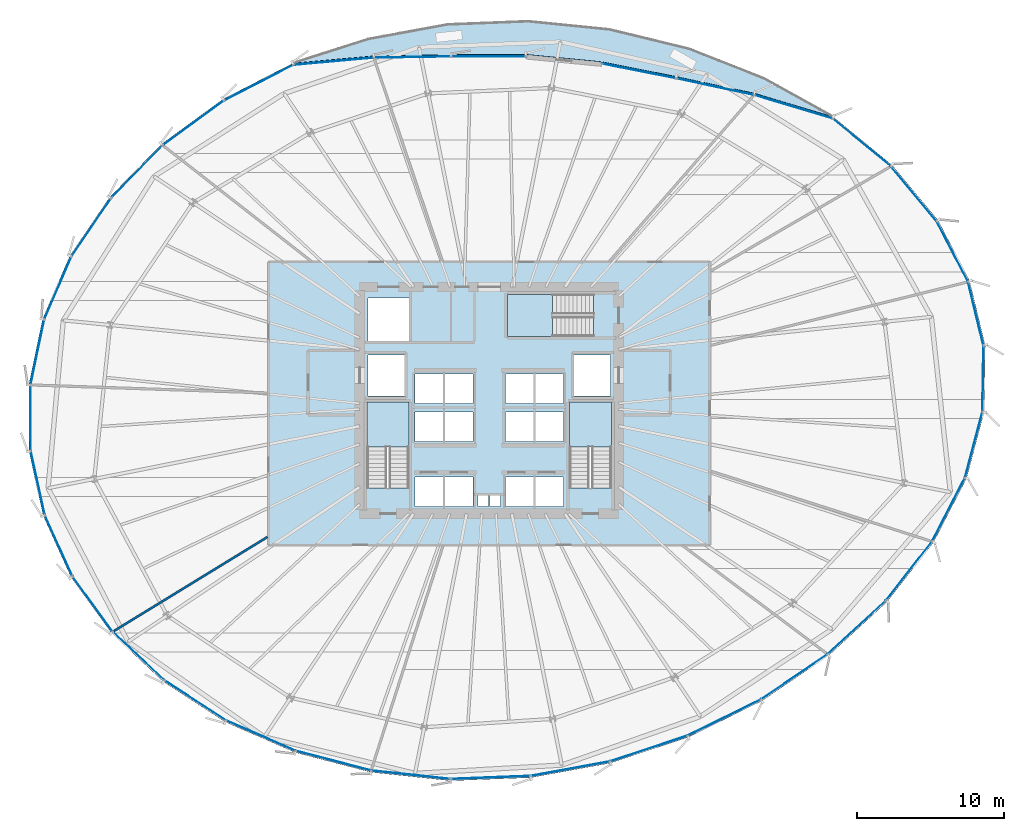
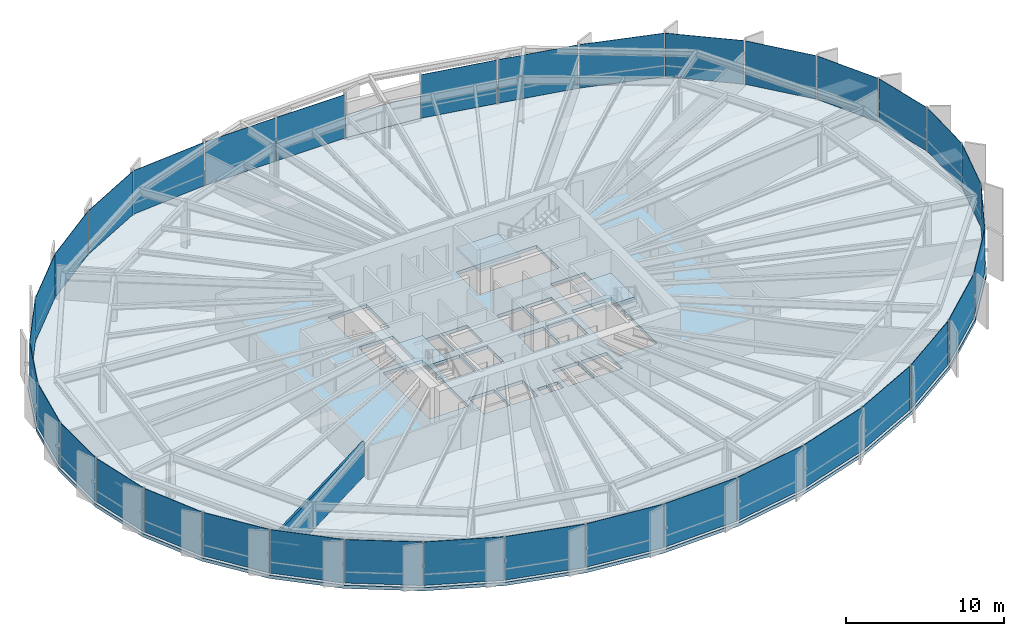
# One storey, part 29 of 37: 35 plates, 5 slabs, 1 wall, 10 elements without a shape of their own.
"""IFC4 building model written with IfcOpenShell, lengths in metres."""

from ifc_helpers import new_model, si_unit, direction, frame, frame_2d, origin, origin_2d, place, context, subcontext, project, spatial, polyline, rectangle, outline, extrude, source, transform, mapped, material, layer, layer_set, type_object, element, aggregate, save


model = new_model("IFC4")

# Units and contexts
model_context = context("Model", 3, precision=1e-05, world=origin(), true_north=direction((0.0, 1.0)))
body_context = subcontext(model_context, "Body", "Model", "MODEL_VIEW")
ifc_project = project(units=[si_unit("LENGTHUNIT", "METRE"), si_unit("AREAUNIT", "SQUARE_METRE"), si_unit("VOLUMEUNIT", "CUBIC_METRE"), si_unit("PLANEANGLEUNIT", "RADIAN"), si_unit("MASSUNIT", "GRAM", prefix="KILO"), si_unit("THERMODYNAMICTEMPERATUREUNIT", "KELVIN")], contexts=[model_context])

# Site, building, storey
site_placement = place(None, origin())
site = spatial("IfcSite", under=ifc_project, at=site_placement, CompositionType="ELEMENT")
building_placement = place(site_placement, origin())
building = spatial("IfcBuilding", under=site, at=building_placement, Name="Kethvar Cultural Tower", CompositionType="ELEMENT")
storey_placement = place(building_placement, frame((0.0, 0.0, 56.199951171875)))
storey = spatial("IfcBuildingStorey", under=building, at=storey_placement, Name="L13", CompositionType="ELEMENT", Elevation=56.199951171875)

# Stair, slab
ifc_material_1 = material(Name="Concrete C40/50", Category="concrete")
stair_type = type_object("IfcStairType", Name="ST-DOGLEG-135", PredefinedType="HALF_TURN_STAIR", material=ifc_material_1)
stair_1_placement = place(storey_placement, origin())
stair_1 = element("IfcStair", 1, at=stair_1_placement, inside=storey, type_object=stair_type, Name="L13 Core Exit Stair 1", PredefinedType="HALF_TURN_STAIR")
ifc_layer_1 = layer(ifc_material_1, 0.199951171875, Name="Concrete C40/50", Category="concrete")
ifc_layer_set_1 = layer_set([ifc_layer_1], Name="Concrete C40/50 (200 mm)")
slab_type_1 = type_object("IfcSlabType", Name="SL-STAIR-LANDING-200", PredefinedType="LANDING", material=ifc_layer_set_1)
slab_1_placement = place(storey_placement, frame((0.0, 0.0, 1.699951171875)))
slab_1 = element("IfcSlab", 2, at=slab_1_placement, type_object=slab_type_1, Name="ST-01 landing 1", PredefinedType="LANDING", context=body_context, shape_type="SweptSolid", body=[
    extrude(outline(polyline([(41.35009765625, 24.64990234375), (41.35009765625, 27.699951171875), (38.489990234375, 27.699951171875), (38.489990234375, 24.64990234375), (41.35009765625, 24.64990234375)])), origin(), (0.0, 0.0, 1.0), 0.2001953125),
])
aggregate(stair_1, [slab_1])

stair_2_placement = place(storey_placement, origin())
stair_2 = element("IfcStair", 3, at=stair_2_placement, inside=storey, type_object=stair_type, Name="L13 Core Exit Stair 2", PredefinedType="HALF_TURN_STAIR")
slab_2_placement = place(storey_placement, frame((0.0, 0.0, 1.699951171875)))
slab_2 = element("IfcSlab", 4, at=slab_2_placement, type_object=slab_type_1, Name="ST-02 landing 1", PredefinedType="LANDING", context=body_context, shape_type="SweptSolid", body=[
    extrude(outline(polyline([(55.110107421875, 24.64990234375), (55.110107421875, 27.699951171875), (52.25, 27.699951171875), (52.25, 24.64990234375), (55.110107421875, 24.64990234375)])), origin(), (0.0, 0.0, 1.0), 0.2001953125),
])
aggregate(stair_2, [slab_2])

stair_3_placement = place(storey_placement, origin())
stair_3 = element("IfcStair", 5, at=stair_3_placement, inside=storey, type_object=stair_type, Name="L13 Core Exit Stair 3", PredefinedType="HALF_TURN_STAIR")
slab_3_placement = place(storey_placement, frame((0.0, 0.0, 1.699951171875)))
slab_3 = element("IfcSlab", 6, at=slab_3_placement, type_object=slab_type_1, Name="ST-03 landing 1", PredefinedType="LANDING", context=body_context, shape_type="SweptSolid", body=[
    extrude(outline(polyline([(51.10009765625, 35.010009765625), (48.050048828125, 35.010009765625), (48.050048828125, 32.14990234375), (51.10009765625, 32.14990234375), (51.10009765625, 35.010009765625)])), origin(), (0.0, 0.0, 1.0), 0.2001953125),
])
aggregate(stair_3, [slab_3])

# Slabs
ifc_layer_2 = layer(ifc_material_1, 0.215087890625, Name="Concrete C40/50", Category="concrete")
ifc_layer_set_2 = layer_set([ifc_layer_2], Name="Concrete C40/50 (215 mm)")
slab_type_2 = type_object("IfcSlabType", Name="SL-TER-EXT", PredefinedType="FLOOR", material=ifc_layer_set_2)
slab_4_placement = place(storey_placement, frame((0.0, 0.0, -0.21484375)))
element("IfcSlab", 7, at=slab_4_placement, inside=storey, type_object=slab_type_2, Name="L13 Spiralling Sky Terrace Deck", PredefinedType="FLOOR", context=body_context, shape_type="SweptSolid", body=[
    extrude(outline(polyline([(70.1845703125, 47.05908203125), (65.53759765625, 49.743896484375), (60.413818359375, 51.772216796875), (55.001708984375, 53.086181640625), (49.473388671875, 53.646240234375), (43.97021484375, 53.432861328125), (38.58349609375, 52.444091796875), (33.4462890625, 50.706298828125), (38.9462890625, 51.203369140625), (44.20751953125, 51.283935546875), (49.32177734375, 51.301025390625), (54.445068359375, 50.802978515625), (59.544921875, 49.79248046875), (64.820556640625, 48.668701171875), (70.1845703125, 47.05908203125)])), origin(), (0.0, 0.0, 1.0), 0.21484375),
])
ifc_layer_3 = layer(ifc_material_1, 0.25, Name="Concrete C40/50", Category="concrete")
ifc_layer_set_3 = layer_set([ifc_layer_3], Name="Concrete C40/50 (250 mm)")
slab_type_3 = type_object("IfcSlabType", Name="SL-TOW-250", PredefinedType="FLOOR", material=ifc_layer_set_3)
slab_5_placement = place(storey_placement, frame((0.0, 0.0, -0.25)))
element("IfcSlab", 8, at=slab_5_placement, inside=storey, type_object=slab_type_3, Name="L13 Structural Floor Slab", PredefinedType="FLOOR", context=body_context, shape_type="SweptSolid", body=[
    extrude(outline(polyline([(80.50341796875, 31.52099609375), (79.445556640625, 35.909423828125), (77.299072265625, 40.041015625), (74.163818359375, 43.793701171875), (70.1845703125, 47.05908203125), (64.820556640625, 48.668701171875), (59.544921875, 49.79248046875), (54.445068359375, 50.802978515625), (49.32177734375, 51.301025390625), (44.20751953125, 51.283935546875), (38.9462890625, 51.203369140625), (33.4462890625, 50.706298828125), (28.715087890625, 48.272705078125), (24.533447265625, 45.217041015625), (21.0283203125, 41.632080078125), (18.305908203125, 37.626953125), (16.44970703125, 33.322998046875), (15.515380859375, 28.8515625), (15.53173828125, 24.347900390625), (16.498291015625, 19.94921875), (18.385498046875, 15.789306640625), (21.135986328125, 11.993896484375), (24.666259765625, 8.67919921875), (28.868896484375, 5.9453125), (33.61669921875, 3.875244140625), (38.764892578125, 2.5322265625), (44.1572265625, 1.95703125), (49.6298828125, 2.167236328125), (55.047119140625, 3.159423828125), (60.3203125, 4.912109375), (65.315185546875, 7.375), (69.873291015625, 10.47216796875), (73.822509765625, 14.10595703125), (76.99365234375, 18.160888671875), (79.23486328125, 22.507080078125), (80.42822265625, 27.007080078125), (80.50341796875, 31.52099609375)]), holes=[polyline([(38.489990234375, 21.85009765625), (38.489990234375, 27.699951171875), (41.35009765625, 27.699951171875), (41.35009765625, 21.85009765625), (38.489990234375, 21.85009765625)]), polyline([(52.25, 21.85009765625), (52.25, 27.699951171875), (55.110107421875, 27.699951171875), (55.110107421875, 21.85009765625), (52.25, 21.85009765625)]), polyline([(53.89990234375, 32.14990234375), (48.050048828125, 32.14990234375), (48.050048828125, 35.010009765625), (53.89990234375, 35.010009765625), (53.89990234375, 32.14990234375)]), polyline([(41.75, 22.60009765625), (43.64990234375, 22.60009765625), (43.64990234375, 20.60009765625), (41.75, 20.60009765625), (41.75, 22.60009765625)]), polyline([(43.800048828125, 22.60009765625), (45.699951171875, 22.60009765625), (45.699951171875, 20.60009765625), (43.800048828125, 20.60009765625), (43.800048828125, 22.60009765625)]), polyline([(47.89990234375, 22.60009765625), (49.800048828125, 22.60009765625), (49.800048828125, 20.60009765625), (47.89990234375, 20.60009765625), (47.89990234375, 22.60009765625)]), polyline([(49.949951171875, 22.60009765625), (51.85009765625, 22.60009765625), (51.85009765625, 20.60009765625), (49.949951171875, 20.60009765625), (49.949951171875, 22.60009765625)]), polyline([(41.75, 27.0), (43.64990234375, 27.0), (43.64990234375, 25.0), (41.75, 25.0), (41.75, 27.0)]), polyline([(43.800048828125, 27.0), (45.699951171875, 27.0), (45.699951171875, 25.0), (43.800048828125, 25.0), (43.800048828125, 27.0)]), polyline([(47.89990234375, 27.0), (49.800048828125, 27.0), (49.800048828125, 25.0), (47.89990234375, 25.0), (47.89990234375, 27.0)]), polyline([(49.949951171875, 27.0), (51.85009765625, 27.0), (51.85009765625, 25.0), (49.949951171875, 25.0), (49.949951171875, 27.0)]), polyline([(41.75, 29.60009765625), (43.64990234375, 29.60009765625), (43.64990234375, 27.60009765625), (41.75, 27.60009765625), (41.75, 29.60009765625)]), polyline([(43.800048828125, 29.60009765625), (45.699951171875, 29.60009765625), (45.699951171875, 27.60009765625), (43.800048828125, 27.60009765625), (43.800048828125, 29.60009765625)]), polyline([(47.89990234375, 29.60009765625), (49.800048828125, 29.60009765625), (49.800048828125, 27.60009765625), (47.89990234375, 27.60009765625), (47.89990234375, 29.60009765625)]), polyline([(49.949951171875, 29.60009765625), (51.85009765625, 29.60009765625), (51.85009765625, 27.60009765625), (49.949951171875, 27.60009765625), (49.949951171875, 29.60009765625)]), polyline([(38.550048828125, 30.89990234375), (41.050048828125, 30.89990234375), (41.050048828125, 28.10009765625), (38.550048828125, 28.10009765625), (38.550048828125, 30.89990234375)]), polyline([(52.550048828125, 30.89990234375), (55.050048828125, 30.89990234375), (55.050048828125, 28.10009765625), (52.550048828125, 28.10009765625), (52.550048828125, 30.89990234375)]), polyline([(38.550048828125, 34.75), (41.35009765625, 34.75), (41.35009765625, 31.85009765625), (38.550048828125, 31.85009765625), (38.550048828125, 34.75)]), polyline([(46.050048828125, 21.35009765625), (46.75, 21.35009765625), (46.75, 20.60009765625), (46.050048828125, 20.60009765625), (46.050048828125, 21.35009765625)]), polyline([(46.85009765625, 21.35009765625), (47.550048828125, 21.35009765625), (47.550048828125, 20.60009765625), (46.85009765625, 20.60009765625), (46.85009765625, 21.35009765625)])]), origin(), (0.0, 0.0, 1.0), 0.25),
])

# Curtain wall, plates
ifc_material_2 = material(Name="Aluminium 6063-T6", Category="aluminium")
ifc_layer_4 = layer(ifc_material_2, 0.179931640625, Name="Aluminium 6063-T6", Category="aluminium")
ifc_layer_set_4 = layer_set([ifc_layer_4], Name="Aluminium 6063-T6 (180 mm)")
curtain_wall_type = type_object("IfcCurtainWallType", Name="CW-SYS-02-Z1", PredefinedType="NOTDEFINED", material=ifc_layer_set_4)
curtain_wall_1_placement = place(storey_placement, origin())
curtain_wall_1 = element("IfcCurtainWall", 9, at=curtain_wall_1_placement, inside=storey, type_object=curtain_wall_type, Name="L13 Curtain Wall Run 03", PredefinedType="NOTDEFINED")
ifc_material_3 = material(Name="Insulated Low-E Solar Glass", Category="glass")
ifc_layer_5 = layer(ifc_material_3, 0.031982421875, Name="Insulated Low-E Solar Glass", Category="glass")
ifc_layer_set_5 = layer_set([ifc_layer_5], Name="Insulated Low-E Solar Glass (32 mm)")
plate_type = type_object("IfcPlateType", Name="CW-SYS-02-Z1-PNL", PredefinedType="CURTAIN_PANEL", material=ifc_layer_set_5)
shared_shape_1 = source(origin(), body_context, "Body", "SweptSolid", [
    extrude(rectangle(XDim=5.168212890625, YDim=0.031982421875, at=origin_2d()), origin(), (0.0, 0.0, 1.0), 3.35009765625),
])
plate_1_placement = place(storey_placement, frame((41.57861328125, 51.12353515625, 0.10009765625), z_axis=(0.0, 0.0, 1.0), x_axis=(-0.999882857241, -0.015305939852, 0.0)))
plate_1 = element("IfcPlate", 10, at=plate_1_placement, type_object=plate_type, Name="CW-L13-R03 Vision Glazing Panel 2", PredefinedType="CURTAIN_PANEL", context=body_context, shape_type="MappedRepresentation", body=[
    mapped(shared_shape_1, transform((0.0, 0.0, 0.0), scale=1.0)),
])
shared_shape_2 = source(origin(), body_context, "Body", "SweptSolid", [
    extrude(rectangle(XDim=5.4287109375, YDim=0.031982421875, at=origin_2d()), origin(), (0.0, 0.0, 1.0), 3.35009765625),
])
plate_2_placement = place(storey_placement, frame((36.20703125, 50.83544921875, 0.10009765625), z_axis=(0.0, 0.0, 1.0), x_axis=(-0.995939577095, -0.090024212165, 0.0)))
plate_2 = element("IfcPlate", 11, at=plate_2_placement, type_object=plate_type, Name="CW-L13-R03 Vision Glazing Panel 3", PredefinedType="CURTAIN_PANEL", context=body_context, shape_type="MappedRepresentation", body=[
    mapped(shared_shape_2, transform((0.0, 0.0, 0.0), scale=1.0)),
])

# Curtain wall, plate
curtain_wall_2_placement = place(storey_placement, origin())
curtain_wall_2 = element("IfcCurtainWall", 12, at=curtain_wall_2_placement, inside=storey, type_object=curtain_wall_type, Name="L13 Curtain Wall Run 01", PredefinedType="NOTDEFINED")
shared_shape_3 = source(origin(), body_context, "Body", "SweptSolid", [
    extrude(rectangle(XDim=4.420654296875, YDim=0.031982421875, at=origin_2d()), origin(), (0.0, 0.0, 1.0), 3.35009765625),
])
plate_3_placement = place(storey_placement, frame((79.85791015625, 33.68701171875, 0.10009765625), z_axis=(0.0, 0.0, 1.0), x_axis=(-0.234344729854, 0.972153561733, 0.0)))
plate_3 = element("IfcPlate", 13, at=plate_3_placement, type_object=plate_type, Name="CW-L13-R01 Vision Glazing Panel 1", PredefinedType="CURTAIN_PANEL", context=body_context, shape_type="MappedRepresentation", body=[
    mapped(shared_shape_3, transform((0.0, 0.0, 0.0), scale=1.0)),
])

curtain_wall_3_placement = place(storey_placement, origin())
curtain_wall_3 = element("IfcCurtainWall", 14, at=curtain_wall_3_placement, inside=storey, type_object=curtain_wall_type, Name="L13 Curtain Wall Run 07", PredefinedType="NOTDEFINED")
plate_4_placement = place(storey_placement, frame((80.345703125, 29.26611328125, 0.10009765625), z_axis=(0.0, 0.0, 1.0), x_axis=(0.016632220845, 0.999861675048, 0.0)))
plate_4 = element("IfcPlate", 15, at=plate_4_placement, type_object=plate_type, Name="CW-L13-R07 Vision Glazing Panel 4", PredefinedType="CURTAIN_PANEL", context=body_context, shape_type="MappedRepresentation", body=[
    mapped(shared_shape_3, transform((0.0, 0.0, 0.0), scale=1.0)),
])

# Plate
shared_shape_4 = source(origin(), body_context, "Body", "SweptSolid", [
    extrude(rectangle(XDim=4.56201171875, YDim=0.031982421875, at=origin_2d()), origin(), (0.0, 0.0, 1.0), 3.35009765625),
])
plate_5_placement = place(storey_placement, frame((78.265869140625, 37.919921875, 0.10009765625), z_axis=(0.0, 0.0, 1.0), x_axis=(-0.461020838763, 0.887389309281, 0.0)))
plate_5 = element("IfcPlate", 16, at=plate_5_placement, type_object=plate_type, Name="CW-L13-R01 Vision Glazing Panel 2", PredefinedType="CURTAIN_PANEL", context=body_context, shape_type="MappedRepresentation", body=[
    mapped(shared_shape_4, transform((0.0, 0.0, 0.0), scale=1.0)),
])

plate_6_placement = place(storey_placement, frame((79.715576171875, 24.787841796875, 0.10009765625), z_axis=(0.0, 0.0, 1.0), x_axis=(0.256339983845, 0.966586681412, 0.0)))
plate_6 = element("IfcPlate", 17, at=plate_6_placement, type_object=plate_type, Name="CW-L13-R07 Vision Glazing Panel 3", PredefinedType="CURTAIN_PANEL", context=body_context, shape_type="MappedRepresentation", body=[
    mapped(shared_shape_4, transform((0.0, 0.0, 0.0), scale=1.0)),
])

shared_shape_5 = source(origin(), body_context, "Body", "SweptSolid", [
    extrude(rectangle(XDim=4.79638671875, YDim=0.031982421875, at=origin_2d()), origin(), (0.0, 0.0, 1.0), 3.35009765625),
])
plate_7_placement = place(storey_placement, frame((75.639404296875, 41.84033203125, 0.10009765625), z_axis=(0.0, 0.0, 1.0), x_axis=(-0.641168407777, 0.76740020385, 0.0)))
plate_7 = element("IfcPlate", 18, at=plate_7_placement, type_object=plate_type, Name="CW-L13-R01 Vision Glazing Panel 3", PredefinedType="CURTAIN_PANEL", context=body_context, shape_type="MappedRepresentation", body=[
    mapped(shared_shape_5, transform((0.0, 0.0, 0.0), scale=1.0)),
])

plate_8_placement = place(storey_placement, frame((78.007568359375, 20.388916015625, 0.10009765625), z_axis=(0.0, 0.0, 1.0), x_axis=(0.458323828458, 0.888785276806, 0.0)))
plate_8 = element("IfcPlate", 19, at=plate_8_placement, type_object=plate_type, Name="CW-L13-R07 Vision Glazing Panel 2", PredefinedType="CURTAIN_PANEL", context=body_context, shape_type="MappedRepresentation", body=[
    mapped(shared_shape_5, transform((0.0, 0.0, 0.0), scale=1.0)),
])

shared_shape_6 = source(origin(), body_context, "Body", "SweptSolid", [
    extrude(rectangle(XDim=5.053955078125, YDim=0.031982421875, at=origin_2d()), origin(), (0.0, 0.0, 1.0), 3.35009765625),
])
plate_9_placement = place(storey_placement, frame((72.097900390625, 45.33349609375, 0.10009765625), z_axis=(0.0, 0.0, 1.0), x_axis=(-0.773032597395, 0.634366300622, 0.0)))
plate_9 = element("IfcPlate", 20, at=plate_9_placement, type_object=plate_type, Name="CW-L13-R01 Vision Glazing Panel 4", PredefinedType="CURTAIN_PANEL", context=body_context, shape_type="MappedRepresentation", body=[
    mapped(shared_shape_6, transform((0.0, 0.0, 0.0), scale=1.0)),
])

plate_10_placement = place(storey_placement, frame((75.3134765625, 16.207275390625, 0.10009765625), z_axis=(0.0, 0.0, 1.0), x_axis=(0.616032748272, 0.787720542487, 0.0)))
plate_10 = element("IfcPlate", 21, at=plate_10_placement, type_object=plate_type, Name="CW-L13-R07 Vision Glazing Panel 1", PredefinedType="CURTAIN_PANEL", context=body_context, shape_type="MappedRepresentation", body=[
    mapped(shared_shape_6, transform((0.0, 0.0, 0.0), scale=1.0)),
])

aggregate(curtain_wall_3, [plate_10, plate_8, plate_6, plate_4])

shared_shape_7 = source(origin(), body_context, "Body", "SweptSolid", [
    extrude(rectangle(XDim=5.506591796875, YDim=0.031982421875, at=origin_2d()), origin(), (0.0, 0.0, 1.0), 3.35009765625),
])
plate_11_placement = place(storey_placement, frame((67.468017578125, 47.748779296875, 0.10009765625), z_axis=(0.0, 0.0, 1.0), x_axis=(-0.957807447371, 0.287410670924, 0.0)))
plate_11 = element("IfcPlate", 22, at=plate_11_placement, type_object=plate_type, Name="CW-L13-R01 Vision Glazing Panel 5", PredefinedType="CURTAIN_PANEL", context=body_context, shape_type="MappedRepresentation", body=[
    mapped(shared_shape_7, transform((0.0, 0.0, 0.0), scale=1.0)),
])

shared_shape_8 = source(origin(), body_context, "Body", "SweptSolid", [
    extrude(rectangle(XDim=5.300537109375, YDim=0.031982421875, at=origin_2d()), origin(), (0.0, 0.0, 1.0), 3.35009765625),
])
plate_12_placement = place(storey_placement, frame((62.15771484375, 49.11328125, 0.10009765625), z_axis=(0.0, 0.0, 1.0), x_axis=(-0.978049516055, 0.208372608913, 0.0)))
plate_12 = element("IfcPlate", 23, at=plate_12_placement, type_object=plate_type, Name="CW-L13-R01 Vision Glazing Panel 6", PredefinedType="CURTAIN_PANEL", context=body_context, shape_type="MappedRepresentation", body=[
    mapped(shared_shape_8, transform((0.0, 0.0, 0.0), scale=1.0)),
])

aggregate(curtain_wall_2, [plate_3, plate_5, plate_7, plate_9, plate_11, plate_12])

# Curtain wall, plate
curtain_wall_4_placement = place(storey_placement, origin())
curtain_wall_4 = element("IfcCurtainWall", 24, at=curtain_wall_4_placement, inside=storey, type_object=curtain_wall_type, Name="L13 Curtain Wall Run 02", PredefinedType="NOTDEFINED")
shared_shape_9 = source(origin(), body_context, "Body", "SweptSolid", [
    extrude(rectangle(XDim=5.105224609375, YDim=0.031982421875, at=origin_2d()), origin(), (0.0, 0.0, 1.0), 3.35009765625),
])
plate_13_placement = place(storey_placement, frame((56.9716796875, 50.179931640625, 0.10009765625), z_axis=(0.0, 0.0, 1.0), x_axis=(-0.980934809797, 0.194337075538, 0.0)))
plate_13 = element("IfcPlate", 25, at=plate_13_placement, type_object=plate_type, Name="CW-L13-R02 Vision Glazing Panel 1", PredefinedType="CURTAIN_PANEL", context=body_context, shape_type="MappedRepresentation", body=[
    mapped(shared_shape_9, transform((0.0, 0.0, 0.0), scale=1.0)),
])
aggregate(curtain_wall_4, [plate_13])

# Plate
shared_shape_10 = source(origin(), body_context, "Body", "SweptSolid", [
    extrude(rectangle(XDim=5.020751953125, YDim=0.031982421875, at=origin_2d()), origin(), (0.0, 0.0, 1.0), 3.35009765625),
])
plate_14_placement = place(storey_placement, frame((46.764892578125, 51.172607421875, 0.10009765625), z_axis=(0.0, 0.0, 1.0), x_axis=(-0.999994326658, -0.003368479086, 0.0)))
plate_14 = element("IfcPlate", 26, at=plate_14_placement, type_object=plate_type, Name="CW-L13-R03 Vision Glazing Panel 1", PredefinedType="CURTAIN_PANEL", context=body_context, shape_type="MappedRepresentation", body=[
    mapped(shared_shape_10, transform((0.0, 0.0, 0.0), scale=1.0)),
])

shared_shape_11 = source(origin(), body_context, "Body", "SweptSolid", [
    extrude(rectangle(XDim=5.226806640625, YDim=0.031982421875, at=origin_2d()), origin(), (0.0, 0.0, 1.0), 3.35009765625),
])
plate_15_placement = place(storey_placement, frame((31.1357421875, 49.3828125, 0.10009765625), z_axis=(0.0, 0.0, 1.0), x_axis=(-0.889256761832, -0.457408364087, 0.0)))
plate_15 = element("IfcPlate", 27, at=plate_15_placement, type_object=plate_type, Name="CW-L13-R03 Vision Glazing Panel 4", PredefinedType="CURTAIN_PANEL", context=body_context, shape_type="MappedRepresentation", body=[
    mapped(shared_shape_11, transform((0.0, 0.0, 0.0), scale=1.0)),
])

# Curtain wall, plate
curtain_wall_5_placement = place(storey_placement, origin())
curtain_wall_5 = element("IfcCurtainWall", 28, at=curtain_wall_5_placement, inside=storey, type_object=curtain_wall_type, Name="L13 Curtain Wall Run 05", PredefinedType="NOTDEFINED")
plate_16_placement = place(storey_placement, frame((36.22119140625, 3.31982421875, 0.10009765625), z_axis=(0.0, 0.0, 1.0), x_axis=(0.96761671724, -0.25242402524, 0.0)))
plate_16 = element("IfcPlate", 29, at=plate_16_placement, type_object=plate_type, Name="CW-L13-R05 Vision Glazing Panel 5", PredefinedType="CURTAIN_PANEL", context=body_context, shape_type="MappedRepresentation", body=[
    mapped(shared_shape_11, transform((0.0, 0.0, 0.0), scale=1.0)),
])

# Plate
shared_shape_12 = source(origin(), body_context, "Body", "SweptSolid", [
    extrude(rectangle(XDim=5.085693359375, YDim=0.031982421875, at=origin_2d()), origin(), (0.0, 0.0, 1.0), 3.35009765625),
])
plate_17_placement = place(storey_placement, frame((26.695068359375, 46.64794921875, 0.10009765625), z_axis=(0.0, 0.0, 1.0), x_axis=(-0.807413626744, -0.589985792496, 0.0)))
plate_17 = element("IfcPlate", 30, at=plate_17_placement, type_object=plate_type, Name="CW-L13-R03 Vision Glazing Panel 5", PredefinedType="CURTAIN_PANEL", context=body_context, shape_type="MappedRepresentation", body=[
    mapped(shared_shape_12, transform((0.0, 0.0, 0.0), scale=1.0)),
])

plate_18_placement = place(storey_placement, frame((31.290771484375, 5.020263671875, 0.10009765625), z_axis=(0.0, 0.0, 1.0), x_axis=(0.916669905311, -0.399645198517, 0.0)))
plate_18 = element("IfcPlate", 31, at=plate_18_placement, type_object=plate_type, Name="CW-L13-R05 Vision Glazing Panel 4", PredefinedType="CURTAIN_PANEL", context=body_context, shape_type="MappedRepresentation", body=[
    mapped(shared_shape_12, transform((0.0, 0.0, 0.0), scale=1.0)),
])

shared_shape_13 = source(origin(), body_context, "Body", "SweptSolid", [
    extrude(rectangle(XDim=4.920166015625, YDim=0.031982421875, at=origin_2d()), origin(), (0.0, 0.0, 1.0), 3.35009765625),
])
plate_19_placement = place(storey_placement, frame((22.86669921875, 43.340576171875, 0.10009765625), z_axis=(0.0, 0.0, 1.0), x_axis=(-0.699114458628, -0.715009771777, 0.0)))
plate_19 = element("IfcPlate", 32, at=plate_19_placement, type_object=plate_type, Name="CW-L13-R03 Vision Glazing Panel 6", PredefinedType="CURTAIN_PANEL", context=body_context, shape_type="MappedRepresentation", body=[
    mapped(shared_shape_13, transform((0.0, 0.0, 0.0), scale=1.0)),
])

aggregate(curtain_wall_1, [plate_14, plate_1, plate_2, plate_15, plate_17, plate_19])

plate_20_placement = place(storey_placement, frame((26.8330078125, 7.412841796875, 0.10009765625), z_axis=(0.0, 0.0, 1.0), x_axis=(0.838252067935, -0.545282927115, 0.0)))
plate_20 = element("IfcPlate", 33, at=plate_20_placement, type_object=plate_type, Name="CW-L13-R05 Vision Glazing Panel 3", PredefinedType="CURTAIN_PANEL", context=body_context, shape_type="MappedRepresentation", body=[
    mapped(shared_shape_13, transform((0.0, 0.0, 0.0), scale=1.0)),
])

# Curtain wall, plate
curtain_wall_6_placement = place(storey_placement, origin())
curtain_wall_6 = element("IfcCurtainWall", 34, at=curtain_wall_6_placement, inside=storey, type_object=curtain_wall_type, Name="L13 Curtain Wall Run 04", PredefinedType="NOTDEFINED")
shared_shape_14 = source(origin(), body_context, "Body", "SweptSolid", [
    extrude(rectangle(XDim=4.7490234375, YDim=0.031982421875, at=origin_2d()), origin(), (0.0, 0.0, 1.0), 3.35009765625),
])
plate_21_placement = place(storey_placement, frame((19.766357421875, 39.56201171875, 0.10009765625), z_axis=(0.0, 0.0, 1.0), x_axis=(-0.562126682919, -0.827051142524, 0.0)))
plate_21 = element("IfcPlate", 35, at=plate_21_placement, type_object=plate_type, Name="CW-L13-R04 Vision Glazing Panel 1", PredefinedType="CURTAIN_PANEL", context=body_context, shape_type="MappedRepresentation", body=[
    mapped(shared_shape_14, transform((0.0, 0.0, 0.0), scale=1.0)),
])

# Plate
plate_22_placement = place(storey_placement, frame((22.983154296875, 10.424072265625, 0.10009765625), z_axis=(0.0, 0.0, 1.0), x_axis=(0.728992522179, -0.684521659706, 0.0)))
plate_22 = element("IfcPlate", 36, at=plate_22_placement, type_object=plate_type, Name="CW-L13-R05 Vision Glazing Panel 2", PredefinedType="CURTAIN_PANEL", context=body_context, shape_type="MappedRepresentation", body=[
    mapped(shared_shape_14, transform((0.0, 0.0, 0.0), scale=1.0)),
])

shared_shape_15 = source(origin(), body_context, "Body", "SweptSolid", [
    extrude(rectangle(XDim=4.593505859375, YDim=0.031982421875, at=origin_2d()), origin(), (0.0, 0.0, 1.0), 3.35009765625),
])
plate_23_placement = place(storey_placement, frame((17.488037109375, 35.427490234375, 0.10009765625), z_axis=(0.0, 0.0, 1.0), x_axis=(-0.396042371957, -0.91823223621, 0.0)))
plate_23 = element("IfcPlate", 37, at=plate_23_placement, type_object=plate_type, Name="CW-L13-R04 Vision Glazing Panel 2", PredefinedType="CURTAIN_PANEL", context=body_context, shape_type="MappedRepresentation", body=[
    mapped(shared_shape_15, transform((0.0, 0.0, 0.0), scale=1.0)),
])

plate_24_placement = place(storey_placement, frame((19.85791015625, 13.9619140625, 0.10009765625), z_axis=(0.0, 0.0, 1.0), x_axis=(0.586824677858, -0.809714022021, 0.0)))
plate_24 = element("IfcPlate", 38, at=plate_24_placement, type_object=plate_type, Name="CW-L13-R05 Vision Glazing Panel 1", PredefinedType="CURTAIN_PANEL", context=body_context, shape_type="MappedRepresentation", body=[
    mapped(shared_shape_15, transform((0.0, 0.0, 0.0), scale=1.0)),
])

shared_shape_16 = source(origin(), body_context, "Body", "SweptSolid", [
    extrude(rectangle(XDim=4.474609375, YDim=0.031982421875, at=origin_2d()), origin(), (0.0, 0.0, 1.0), 3.35009765625),
])
plate_25_placement = place(storey_placement, frame((16.10009765625, 31.062744140625, 0.10009765625), z_axis=(0.0, 0.0, 1.0), x_axis=(-0.204496051842, -0.978867388762, 0.0)))
plate_25 = element("IfcPlate", 39, at=plate_25_placement, type_object=plate_type, Name="CW-L13-R04 Vision Glazing Panel 3", PredefinedType="CURTAIN_PANEL", context=body_context, shape_type="MappedRepresentation", body=[
    mapped(shared_shape_16, transform((0.0, 0.0, 0.0), scale=1.0)),
])

plate_26_placement = place(storey_placement, frame((17.551025390625, 17.918701171875, 0.10009765625), z_axis=(0.0, 0.0, 1.0), x_axis=(0.413104429825, -0.910683660806, 0.0)))
plate_26 = element("IfcPlate", 40, at=plate_26_placement, type_object=plate_type, Name="CW-L13-R04 Vision Glazing Panel 6", PredefinedType="CURTAIN_PANEL", context=body_context, shape_type="MappedRepresentation", body=[
    mapped(shared_shape_16, transform((0.0, 0.0, 0.0), scale=1.0)),
])

shared_shape_17 = source(origin(), body_context, "Body", "SweptSolid", [
    extrude(rectangle(XDim=4.409912109375, YDim=0.031982421875, at=origin_2d()), origin(), (0.0, 0.0, 1.0), 3.35009765625),
])
plate_27_placement = place(storey_placement, frame((15.643798828125, 26.60009765625, 0.10009765625), z_axis=(0.0, 0.0, 1.0), x_axis=(0.003612823692, -0.999993473731, 0.0)))
plate_27 = element("IfcPlate", 41, at=plate_27_placement, type_object=plate_type, Name="CW-L13-R04 Vision Glazing Panel 4", PredefinedType="CURTAIN_PANEL", context=body_context, shape_type="MappedRepresentation", body=[
    mapped(shared_shape_17, transform((0.0, 0.0, 0.0), scale=1.0)),
])

plate_28_placement = place(storey_placement, frame((16.132080078125, 22.17431640625, 0.10009765625), z_axis=(0.0, 0.0, 1.0), x_axis=(0.214598955899, -0.976702251522, 0.0)))
plate_28 = element("IfcPlate", 42, at=plate_28_placement, type_object=plate_type, Name="CW-L13-R04 Vision Glazing Panel 5", PredefinedType="CURTAIN_PANEL", context=body_context, shape_type="MappedRepresentation", body=[
    mapped(shared_shape_17, transform((0.0, 0.0, 0.0), scale=1.0)),
])

aggregate(curtain_wall_6, [plate_21, plate_23, plate_25, plate_27, plate_28, plate_26])

shared_shape_18 = source(origin(), body_context, "Body", "SweptSolid", [
    extrude(rectangle(XDim=5.329345703125, YDim=0.031982421875, at=origin_2d()), origin(), (0.0, 0.0, 1.0), 3.35009765625),
])
plate_29_placement = place(storey_placement, frame((41.473876953125, 2.364013671875, 0.10009765625), z_axis=(0.0, 0.0, 1.0), x_axis=(0.994358327045, -0.106073170198, 0.0)))
plate_29 = element("IfcPlate", 43, at=plate_29_placement, type_object=plate_type, Name="CW-L13-R05 Vision Glazing Panel 6", PredefinedType="CURTAIN_PANEL", context=body_context, shape_type="MappedRepresentation", body=[
    mapped(shared_shape_18, transform((0.0, 0.0, 0.0), scale=1.0)),
])

aggregate(curtain_wall_5, [plate_24, plate_22, plate_20, plate_18, plate_16, plate_29])

# Curtain wall, plates
curtain_wall_7_placement = place(storey_placement, origin())
curtain_wall_7 = element("IfcCurtainWall", 44, at=curtain_wall_7_placement, inside=storey, type_object=curtain_wall_type, Name="L13 Curtain Wall Run 06", PredefinedType="NOTDEFINED")
shared_shape_19 = source(origin(), body_context, "Body", "SweptSolid", [
    extrude(rectangle(XDim=5.383056640625, YDim=0.031982421875, at=origin_2d()), origin(), (0.0, 0.0, 1.0), 3.35009765625),
])
plate_30_placement = place(storey_placement, frame((46.888916015625, 2.18212890625, 0.10009765625), z_axis=(0.0, 0.0, 1.0), x_axis=(0.999263586252, 0.038370368654, 0.0)))
plate_30 = element("IfcPlate", 45, at=plate_30_placement, type_object=plate_type, Name="CW-L13-R06 Vision Glazing Panel 1", PredefinedType="CURTAIN_PANEL", context=body_context, shape_type="MappedRepresentation", body=[
    mapped(shared_shape_19, transform((0.0, 0.0, 0.0), scale=1.0)),
])
shared_shape_20 = source(origin(), body_context, "Body", "SweptSolid", [
    extrude(rectangle(XDim=5.413818359375, YDim=0.031982421875, at=origin_2d()), origin(), (0.0, 0.0, 1.0), 3.35009765625),
])
plate_31_placement = place(storey_placement, frame((52.31689453125, 2.78125, 0.10009765625), z_axis=(0.0, 0.0, 1.0), x_axis=(0.98363756847, 0.180158635361, 0.0)))
plate_31 = element("IfcPlate", 46, at=plate_31_placement, type_object=plate_type, Name="CW-L13-R06 Vision Glazing Panel 2", PredefinedType="CURTAIN_PANEL", context=body_context, shape_type="MappedRepresentation", body=[
    mapped(shared_shape_20, transform((0.0, 0.0, 0.0), scale=1.0)),
])
shared_shape_21 = source(origin(), body_context, "Body", "SweptSolid", [
    extrude(rectangle(XDim=5.462890625, YDim=0.031982421875, at=origin_2d()), origin(), (0.0, 0.0, 1.0), 3.35009765625),
])
plate_32_placement = place(storey_placement, frame((57.64599609375, 4.149658203125, 0.10009765625), z_axis=(0.0, 0.0, 1.0), x_axis=(0.948953110927, 0.315417173378, 0.0)))
plate_32 = element("IfcPlate", 47, at=plate_32_placement, type_object=plate_type, Name="CW-L13-R06 Vision Glazing Panel 3", PredefinedType="CURTAIN_PANEL", context=body_context, shape_type="MappedRepresentation", body=[
    mapped(shared_shape_21, transform((0.0, 0.0, 0.0), scale=1.0)),
])
shared_shape_22 = source(origin(), body_context, "Body", "SweptSolid", [
    extrude(rectangle(XDim=5.4755859375, YDim=0.031982421875, at=origin_2d()), origin(), (0.0, 0.0, 1.0), 3.35009765625),
])
plate_33_placement = place(storey_placement, frame((62.7646484375, 6.251220703125, 0.10009765625), z_axis=(0.0, 0.0, 1.0), x_axis=(0.896911335087, 0.442210421623, 0.0)))
plate_33 = element("IfcPlate", 48, at=plate_33_placement, type_object=plate_type, Name="CW-L13-R06 Vision Glazing Panel 4", PredefinedType="CURTAIN_PANEL", context=body_context, shape_type="MappedRepresentation", body=[
    mapped(shared_shape_22, transform((0.0, 0.0, 0.0), scale=1.0)),
])
shared_shape_23 = source(origin(), body_context, "Body", "SweptSolid", [
    extrude(rectangle(XDim=5.4169921875, YDim=0.031982421875, at=origin_2d()), origin(), (0.0, 0.0, 1.0), 3.35009765625),
])
plate_34_placement = place(storey_placement, frame((67.52685546875, 9.022705078125, 0.10009765625), z_axis=(0.0, 0.0, 1.0), x_axis=(0.827119813081, 0.562025635366, 0.0)))
plate_34 = element("IfcPlate", 49, at=plate_34_placement, type_object=plate_type, Name="CW-L13-R06 Vision Glazing Panel 5", PredefinedType="CURTAIN_PANEL", context=body_context, shape_type="MappedRepresentation", body=[
    mapped(shared_shape_23, transform((0.0, 0.0, 0.0), scale=1.0)),
])
shared_shape_24 = source(origin(), body_context, "Body", "SweptSolid", [
    extrude(rectangle(XDim=5.273193359375, YDim=0.031982421875, at=origin_2d()), origin(), (0.0, 0.0, 1.0), 3.35009765625),
])
plate_35_placement = place(storey_placement, frame((71.7666015625, 12.377197265625, 0.10009765625), z_axis=(0.0, 0.0, 1.0), x_axis=(0.735884403941, 0.677107187996, 0.0)))
plate_35 = element("IfcPlate", 50, at=plate_35_placement, type_object=plate_type, Name="CW-L13-R06 Vision Glazing Panel 6", PredefinedType="CURTAIN_PANEL", context=body_context, shape_type="MappedRepresentation", body=[
    mapped(shared_shape_24, transform((0.0, 0.0, 0.0), scale=1.0)),
])
aggregate(curtain_wall_7, [plate_30, plate_31, plate_32, plate_33, plate_34, plate_35])

# Wall
ifc_material_4 = material(Name="Gypsum Acoustic Partition")
ifc_layer_6 = layer(ifc_material_4, 0.14990234375, Name="Gypsum Acoustic Partition")
ifc_layer_set_6 = layer_set([ifc_layer_6], Name="Gypsum Acoustic Partition (150 mm)")
wall_type = type_object("IfcWallType", Name="WL-PART-150", PredefinedType="PARTITIONING", material=ifc_layer_set_6)
wall_placement = place(storey_placement, frame((31.74169921875, 18.526123046875, 0.0), z_axis=(0.0, 0.0, 1.0), x_axis=(-0.852795422603, -0.522245121746, 0.0)))
element("IfcWall", 51, at=wall_placement, inside=storey, type_object=wall_type, Name="L13 Radial Partition Wall 01", PredefinedType="PARTITIONING", context=body_context, shape_type="SweptSolid", body=[
    extrude(rectangle(XDim=12.230224609375, YDim=0.14990234375, at=frame_2d((6.115234375, 0.0))), origin(), (0.0, 0.0, 1.0), 2.64501953125),
])

save(model, "model.ifc")
